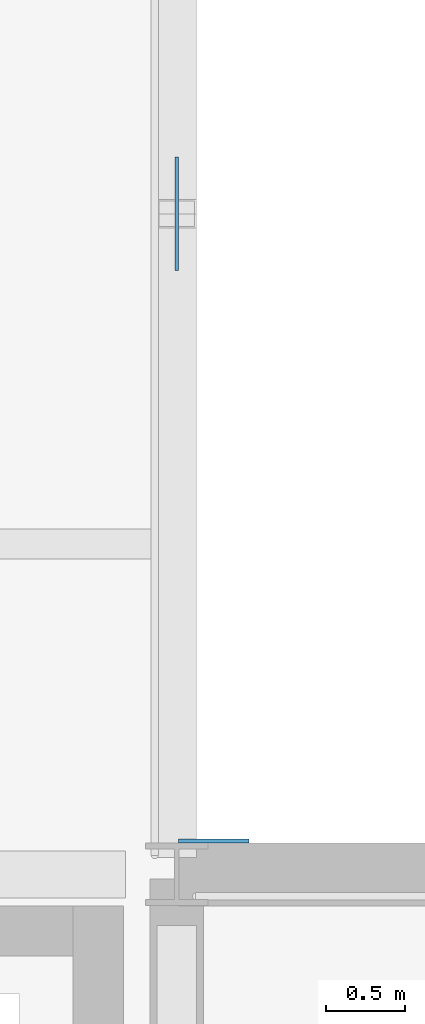
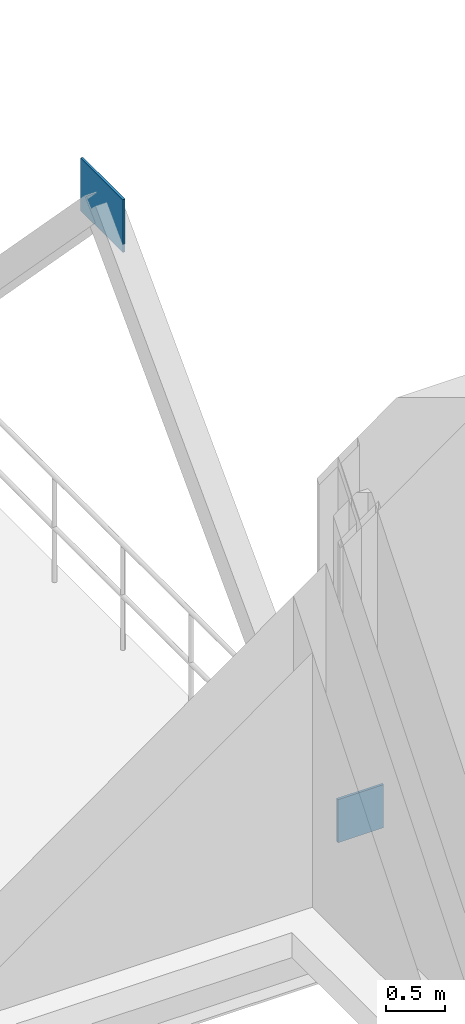
# One storey, part 36 of 52: 2 plates.
"""IFC4 building model written with IfcOpenShell, lengths in metres."""

from ifc_helpers import new_model, si_unit, direction, frame, origin, origin_2d, place, context, subcontext, project, spatial, rectangle, extrude, material, layer, layer_set, type_object, element, save


model = new_model("IFC4")

# Units and contexts
model_context = context("Model", 3, precision=1e-05, world=origin(), true_north=direction((0.0, 1.0)))
body_context = subcontext(model_context, "Body", "Model", "MODEL_VIEW")
ifc_project = project(units=[si_unit("LENGTHUNIT", "METRE"), si_unit("AREAUNIT", "SQUARE_METRE"), si_unit("VOLUMEUNIT", "CUBIC_METRE"), si_unit("PLANEANGLEUNIT", "RADIAN"), si_unit("MASSUNIT", "GRAM", prefix="KILO")], contexts=[model_context])

# Site, building, storey
site_placement = place(None, origin())
site = spatial("IfcSite", under=ifc_project, at=site_placement, CompositionType="ELEMENT")
building_placement = place(site_placement, origin())
building = spatial("IfcBuilding", under=site, at=building_placement, Name="Lornevale Opera House", CompositionType="ELEMENT")
storey_placement = place(building_placement, frame((0.0, 0.0, 15.0)))
storey = spatial("IfcBuildingStorey", under=building, at=storey_placement, Name="L04", CompositionType="ELEMENT", Elevation=15.0)

# Plates
ifc_material = material(Name="Structural Steel CSA G40.21 Grade 350W (350 MPa)", Category="steel")
ifc_layer_1 = layer(ifc_material, 0.02490234375)
ifc_layer_set_1 = layer_set([ifc_layer_1], Name="Structural Steel CSA G40.21 Grade 350W (350 MPa)")
plate_type_1 = type_object("IfcPlateType", Name="Brace Cast-in Wall Plate 450x450x25", PredefinedType="USERDEFINED", material=ifc_layer_set_1)
plate_1_placement = place(storey_placement, frame((67.43505859375, 67.41259765625, 0.0), z_axis=(0.0, 0.0, 1.0), x_axis=(1.0, 0.0, 0.0)))
element("IfcPlate", 1, at=plate_1_placement, inside=storey, type_object=plate_type_1, Name="Brace Cast-in Wall Plate PT-BW-0001", ObjectType="GUSSET PLATE", PredefinedType="USERDEFINED", context=body_context, shape_type="SweptSolid", body=[
    extrude(rectangle(XDim=0.449951171875, YDim=0.02490234375, at=origin_2d()), origin(), (0.0, 0.0, 1.0), 0.449951171875),
])
ifc_layer_2 = layer(ifc_material, 0.02392578125)
ifc_layer_set_2 = layer_set([ifc_layer_2], Name="Structural Steel CSA G40.21 Grade 350W (350 MPa)")
plate_type_2 = type_object("IfcPlateType", Name="Chevron Brace Gusset 720x550x24", PredefinedType="USERDEFINED", material=ifc_layer_set_2)
plate_2_placement = place(storey_placement, frame((67.199951171875, 71.39990234375, 3.955078125), z_axis=(0.0, 0.0, 1.0), x_axis=(0.0, 1.0, 0.0)))
element("IfcPlate", 2, at=plate_2_placement, inside=storey, type_object=plate_type_2, Name="Chevron Brace Gusset PT-0056", ObjectType="GUSSET PLATE", PredefinedType="USERDEFINED", context=body_context, shape_type="SweptSolid", body=[
    extrude(rectangle(XDim=0.719970703125, YDim=0.02392578125, at=origin_2d()), origin(), (0.0, 0.0, 1.0), 0.550048828125),
])

save(model, "model.ifc")
